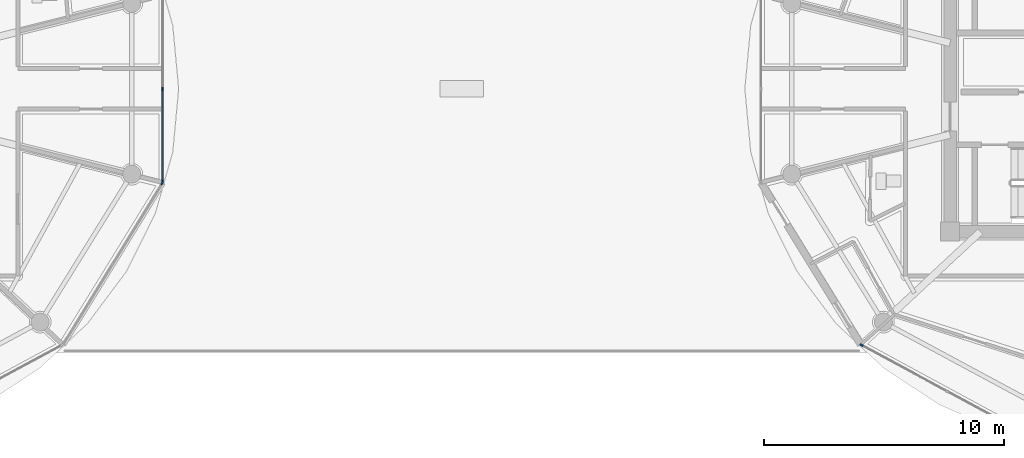
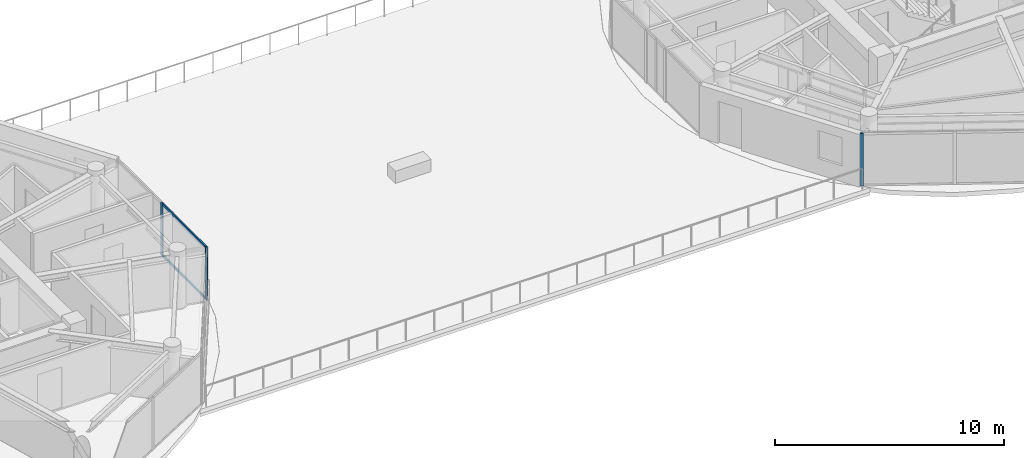
# One storey, part 5 of 30: 6 members, 3 elements without a shape of their own.
"""IFC4 building model written with IfcOpenShell, lengths in metres."""

from ifc_helpers import new_model, si_unit, direction, frame, origin, origin_2d, place, context, subcontext, project, spatial, rectangle, extrude, source, transform, mapped, material, layer, layer_set, material_profile, profile_set, type_object, type_shapes, element, aggregate, save


model = new_model("IFC4")

# Units and contexts
model_context = context("Model", 3, precision=1e-05, world=origin(), true_north=direction((0.0, 1.0)))
body_context = subcontext(model_context, "Body", "Model", "MODEL_VIEW")
ifc_project = project(units=[si_unit("LENGTHUNIT", "METRE"), si_unit("AREAUNIT", "SQUARE_METRE"), si_unit("VOLUMEUNIT", "CUBIC_METRE"), si_unit("PLANEANGLEUNIT", "RADIAN"), si_unit("MASSUNIT", "GRAM", prefix="KILO")], contexts=[model_context])

# Site, building, storey
site_placement = place(None, origin())
site = spatial("IfcSite", under=ifc_project, at=site_placement, CompositionType="ELEMENT")
building_placement = place(site_placement, origin())
building = spatial("IfcBuilding", under=site, at=building_placement, Name="Norrkilde Senior Care Towers", CompositionType="ELEMENT")
storey_placement = place(building_placement, frame((0.0, 0.0, 232.199951171875)))
storey = spatial("IfcBuildingStorey", under=building, at=storey_placement, Name="L72", CompositionType="ELEMENT", Elevation=232.199951171875)

# Curtain wall, member
ifc_material_1 = material(Name="Triple Low-E Insulated Glazing", Category="glass")
ifc_layer = layer(ifc_material_1, 0.18505859375)
ifc_layer_set = layer_set([ifc_layer], Name="Triple Low-E Insulated Glazing")
curtain_wall_type = type_object("IfcCurtainWallType", Name="CW6 Zone 4 Crown Pavilion Curtain Wall", PredefinedType="NOTDEFINED", material=ifc_layer_set)
curtain_wall_1_placement = place(storey_placement, origin())
curtain_wall_1 = element("IfcCurtainWall", 1, at=curtain_wall_1_placement, inside=storey, type_object=curtain_wall_type, Name="L72 Drum W Curtain Wall 10", PredefinedType="NOTDEFINED")
ifc_material_2 = material(Name="Anodised Aluminium", Category="aluminium")
ifc_material_profile_1 = material_profile(ifc_material_2, rectangle(XDim=0.06494140625, YDim=0.14990234375, at=origin_2d()), Name="ALU MULL 65x150")
ifc_profile_set_1 = profile_set([ifc_material_profile_1], Name="Anodised Aluminium")
member_type_1 = type_object("IfcMemberType", Name="Curtain Wall Mullion Z3-Z4 65x150", PredefinedType="MULLION", material=ifc_profile_set_1)
shared_shape_1 = source(origin(), body_context, "Body", "SweptSolid", [
    extrude(rectangle(XDim=0.06494140625, YDim=0.14990234375, at=origin_2d()), origin(), (0.0, 0.0, 1.0), 2.81005859375),
])
type_shapes(member_type_1, [shared_shape_1])
member_1_placement = place(storey_placement, frame((-12.48486328125, -3.9306640625, 0.0), z_axis=(0.0, 0.0, 1.0), x_axis=(0.851562727283, -0.524252726748, 0.0)))
member_1 = element("IfcMember", 2, at=member_1_placement, type_object=member_type_1, Name="CW-6 mullion 1", PredefinedType="MULLION", context=body_context, shape_type="MappedRepresentation", body=[
    mapped(shared_shape_1, transform((0.0, 0.0, 0.0), x_axis=(1.0, 0.0, 0.0), y_axis=(0.0, 1.0, 0.0), z_axis=(0.0, 0.0, 1.0), scale=1.0)),
])
aggregate(curtain_wall_1, [member_1])

# Curtain wall, members
curtain_wall_2_placement = place(storey_placement, origin())
curtain_wall_2 = element("IfcCurtainWall", 3, at=curtain_wall_2_placement, inside=storey, type_object=curtain_wall_type, Name="L72 Drum W Curtain Wall 11", PredefinedType="NOTDEFINED")
member_2_placement = place(storey_placement, frame((-12.468017578125, 0.0, 0.0), z_axis=(0.0, 0.0, 1.0), x_axis=(1.0, 0.0, 0.0)))
member_2 = element("IfcMember", 4, at=member_2_placement, type_object=member_type_1, Name="CW-6 mullion 2", PredefinedType="MULLION", context=body_context, shape_type="MappedRepresentation", body=[
    mapped(shared_shape_1, transform((0.0, 0.0, 0.0), x_axis=(1.0, 0.0, 0.0), y_axis=(0.0, 1.0, 0.0), z_axis=(0.0, 0.0, 1.0), scale=1.0)),
])
member_3_placement = place(storey_placement, frame((-12.468017578125, -3.87060546875, 0.0), z_axis=(0.0, 0.0, 1.0), x_axis=(1.0, 0.0, 0.0)))
member_3 = element("IfcMember", 5, at=member_3_placement, type_object=member_type_1, Name="CW-6 mullion 3", PredefinedType="MULLION", context=body_context, shape_type="MappedRepresentation", body=[
    mapped(shared_shape_1, transform((0.0, 0.0, 0.0), x_axis=(1.0, 0.0, 0.0), y_axis=(0.0, 1.0, 0.0), z_axis=(0.0, 0.0, 1.0), scale=1.0)),
])

# Curtain wall, member
curtain_wall_3_placement = place(storey_placement, origin())
curtain_wall_3 = element("IfcCurtainWall", 6, at=curtain_wall_3_placement, inside=storey, type_object=curtain_wall_type, Name="L72 Drum E Curtain Wall 07", PredefinedType="NOTDEFINED")
member_4_placement = place(storey_placement, frame((16.658203125, -10.6787109375, 0.0), z_axis=(0.0, 0.0, 1.0), x_axis=(-0.476132676136, -0.879373455772, 0.0)))
member_4 = element("IfcMember", 7, at=member_4_placement, type_object=member_type_1, Name="CW-6 mullion 3", PredefinedType="MULLION", context=body_context, shape_type="MappedRepresentation", body=[
    mapped(shared_shape_1, transform((0.0, 0.0, 0.0), x_axis=(1.0, 0.0, 0.0), y_axis=(0.0, 1.0, 0.0), z_axis=(0.0, 0.0, 1.0), scale=1.0)),
])
aggregate(curtain_wall_3, [member_4])

# Member
ifc_material_profile_2 = material_profile(ifc_material_2, rectangle(XDim=0.06005859375, YDim=0.1201171875, at=origin_2d()), Name="ALU TRAN 60x120")
ifc_profile_set_2 = profile_set([ifc_material_profile_2], Name="Anodised Aluminium")
member_type_2 = type_object("IfcMemberType", Name="Curtain Wall Transom Typical 60x120", PredefinedType="USERDEFINED", material=ifc_profile_set_2)
shared_shape_2 = source(origin(), body_context, "Body", "SweptSolid", [
    extrude(rectangle(XDim=0.06005859375, YDim=0.1201171875, at=origin_2d()), origin(), (0.0, 0.0, 1.0), 3.805419921875),
])
type_shapes(member_type_2, [shared_shape_2])
member_5_placement = place(storey_placement, frame((-12.468017578125, -0.032470703125, 0.030029296875), z_axis=(0.0, -1.0, 0.0), x_axis=(1.0, 0.0, 0.0)))
member_5 = element("IfcMember", 8, at=member_5_placement, type_object=member_type_2, Name="CW-6 transom 2.1", ObjectType="TRANSOM", PredefinedType="USERDEFINED", context=body_context, shape_type="MappedRepresentation", body=[
    mapped(shared_shape_2, transform((0.0, 0.0, 0.0), x_axis=(1.0, 0.0, 0.0), y_axis=(0.0, 1.0, 0.0), z_axis=(0.0, 0.0, 1.0), scale=1.0)),
])

member_6_placement = place(storey_placement, frame((-12.468017578125, -0.032470703125, 2.780029296875), z_axis=(0.0, -1.0, 0.0), x_axis=(1.0, 0.0, 0.0)))
member_6 = element("IfcMember", 9, at=member_6_placement, type_object=member_type_2, Name="CW-6 transom 2.2", ObjectType="TRANSOM", PredefinedType="USERDEFINED", context=body_context, shape_type="MappedRepresentation", body=[
    mapped(shared_shape_2, transform((0.0, 0.0, 0.0), x_axis=(1.0, 0.0, 0.0), y_axis=(0.0, 1.0, 0.0), z_axis=(0.0, 0.0, 1.0), scale=1.0)),
])

aggregate(curtain_wall_2, [member_2, member_3, member_5, member_6])

save(model, "model.ifc")
